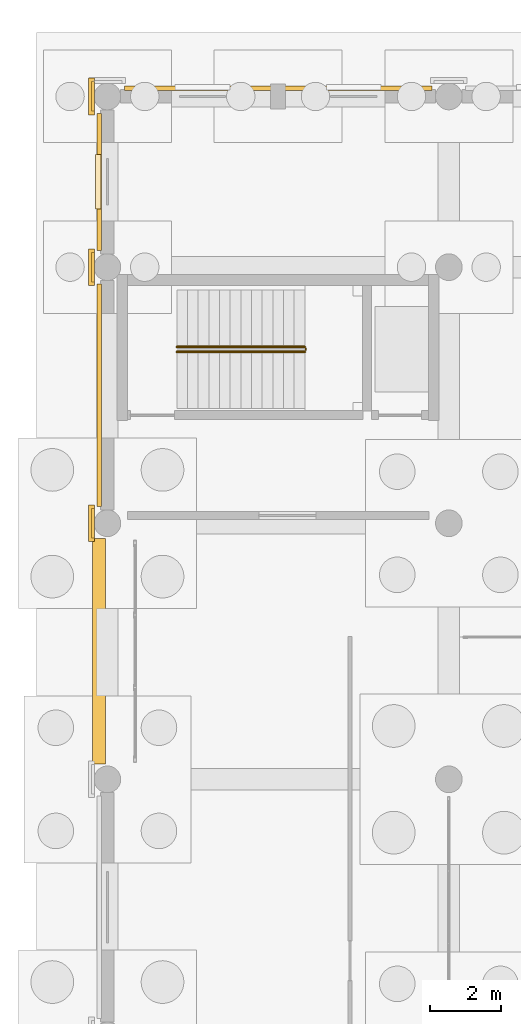
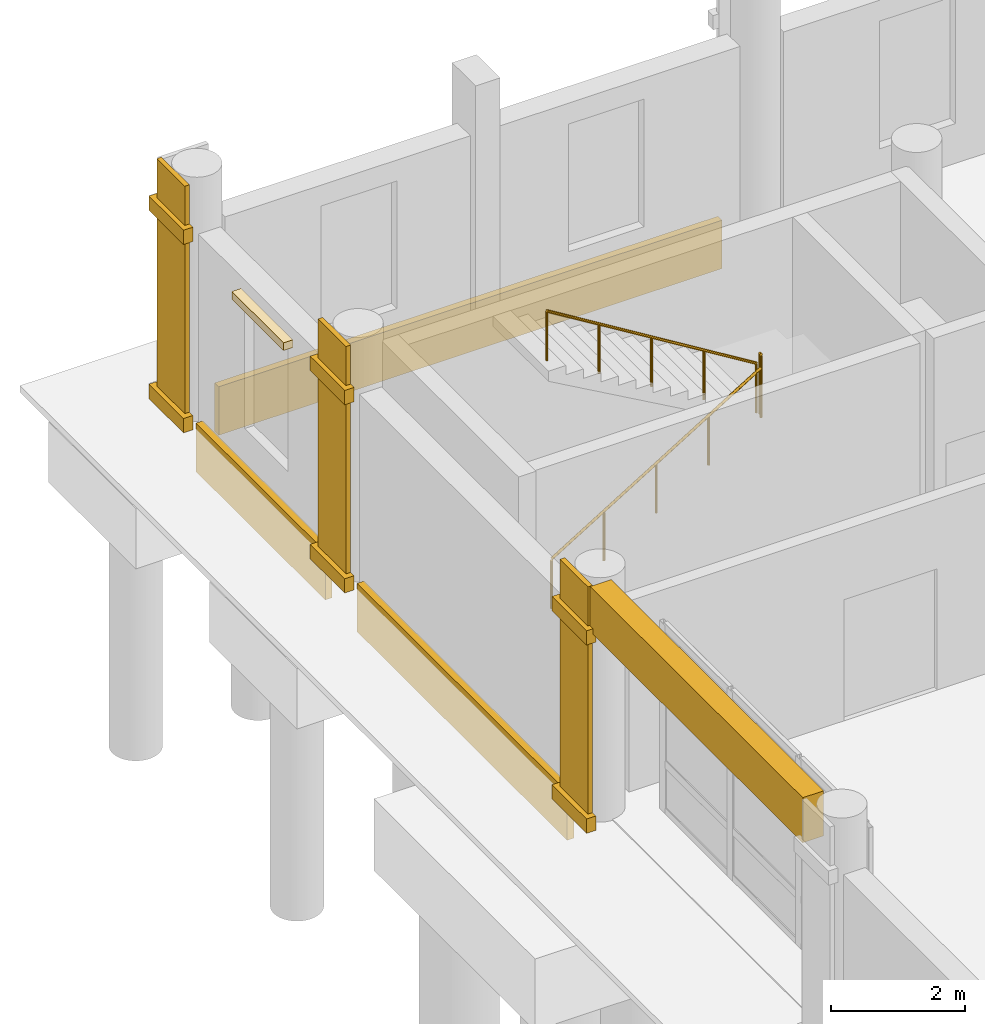
# One storey, part 184 of 196: 14 coverings, 3 railings.
"""IFC4 building model written with IfcOpenShell, lengths in metres."""

from ifc_helpers import new_model, si_unit, direction, frame, origin, origin_2d, place, context, subcontext, project, spatial, rectangle, circle, extrude, material, layer, layer_set, type_object, element, save


model = new_model("IFC4")

# Units and contexts
model_context = context("Model", 3, precision=1e-05, world=origin(), true_north=direction((0.0, 1.0)))
body_context = subcontext(model_context, "Body", "Model", "MODEL_VIEW")
ifc_project = project(units=[si_unit("LENGTHUNIT", "METRE"), si_unit("AREAUNIT", "SQUARE_METRE"), si_unit("VOLUMEUNIT", "CUBIC_METRE"), si_unit("PLANEANGLEUNIT", "RADIAN"), si_unit("MASSUNIT", "GRAM", prefix="KILO")], contexts=[model_context])

# Site, building, storey
site_placement = place(None, origin())
site = spatial("IfcSite", under=ifc_project, at=site_placement, CompositionType="ELEMENT")
building_placement = place(site_placement, origin())
building = spatial("IfcBuilding", under=site, at=building_placement, Name="Asteropetra Specialist Clinic", CompositionType="ELEMENT")
storey_placement = place(building_placement, origin())
storey = spatial("IfcBuildingStorey", under=building, at=storey_placement, Name="L00", CompositionType="ELEMENT", Elevation=0.0)

# Coverings
ifc_material_1 = material(Name="Pentelic marble ashlar", Category="masonry")
ifc_layer = layer(ifc_material_1, 0.159912109375)
ifc_layer_set = layer_set([ifc_layer], Name="Pentelic marble ashlar")
covering_type = type_object("IfcCoveringType", Name="CRN-ENTAB-600", PredefinedType="MOLDING", material=ifc_layer_set)
covering_1_placement = place(storey_placement, frame((-0.239990234375, 94.800048828125, 3.58984375), z_axis=(0.0, 0.0, 1.0), x_axis=(1.0, 0.0, 0.0)))
element("IfcCovering", 1, at=covering_1_placement, inside=storey, type_object=covering_type, Name="Stoa Classical Entablature SE-0069", PredefinedType="MOLDING", context=body_context, shape_type="SweptSolid", body=[
    extrude(rectangle(XDim=0.360107421875, YDim=6.330078125, at=origin_2d()), origin(), (0.0, 0.0, 1.0), 0.820068359375),
])
covering_2_placement = place(storey_placement, frame((-0.406982421875, 98.39990234375, 0.02001953125), z_axis=(0.0, 0.0, 1.0), x_axis=(1.0, 0.0, 0.0)))
element("IfcCovering", 2, at=covering_2_placement, inside=storey, type_object=covering_type, Name="Neoclassical Pilaster Facing CM-0472", PredefinedType="MOLDING", context=body_context, shape_type="SweptSolid", body=[
    extrude(rectangle(XDim=0.080078125, YDim=0.830078125, at=origin_2d()), origin(), (0.0, 0.0, 1.0), 4.3798828125),
])
for number, where, z_axis, x_axis, name in (
    (3, (-0.447021484375, 98.39990234375, 0.009765625), (0.0, 0.0, 1.0), (1.0, 0.0, 0.0), "Doric Base CC-0473"),
    (4, (-0.447021484375, 98.39990234375, 3.43017578125), (0.0, 0.0, 1.0), (1.0, 0.0, 0.0), "Doric Capital CC-0474"),
):
    element("IfcCovering", number, at=place(storey_placement, frame(where, z_axis=z_axis, x_axis=x_axis)), inside=storey, type_object=covering_type, Name=name, PredefinedType="MOLDING", context=body_context, shape_type="SweptSolid", body=[
        extrude(rectangle(XDim=0.159912109375, YDim=1.030029296875, at=origin_2d()), origin(), (0.0, 0.0, 1.0), 0.260009765625),
    ])
covering_3_placement = place(storey_placement, frame((-0.406982421875, 105.60009765625, 0.02001953125), z_axis=(0.0, 0.0, 1.0), x_axis=(1.0, 0.0, 0.0)))
element("IfcCovering", 5, at=covering_3_placement, inside=storey, type_object=covering_type, Name="Neoclassical Pilaster Facing CM-0475", PredefinedType="MOLDING", context=body_context, shape_type="SweptSolid", body=[
    extrude(rectangle(XDim=0.080078125, YDim=0.830078125, at=origin_2d()), origin(), (0.0, 0.0, 1.0), 4.3798828125),
])
for number, where, z_axis, x_axis, name in (
    (6, (-0.447021484375, 105.60009765625, 0.009765625), (0.0, 0.0, 1.0), (1.0, 0.0, 0.0), "Doric Base CC-0476"),
    (7, (-0.447021484375, 105.60009765625, 3.43017578125), (0.0, 0.0, 1.0), (1.0, 0.0, 0.0), "Doric Capital CC-0477"),
):
    element("IfcCovering", number, at=place(storey_placement, frame(where, z_axis=z_axis, x_axis=x_axis)), inside=storey, type_object=covering_type, Name=name, PredefinedType="MOLDING", context=body_context, shape_type="SweptSolid", body=[
        extrude(rectangle(XDim=0.159912109375, YDim=1.030029296875, at=origin_2d()), origin(), (0.0, 0.0, 1.0), 0.260009765625),
    ])
covering_4_placement = place(storey_placement, frame((-0.406982421875, 110.39990234375, 0.02001953125), z_axis=(0.0, 0.0, 1.0), x_axis=(1.0, 0.0, 0.0)))
element("IfcCovering", 8, at=covering_4_placement, inside=storey, type_object=covering_type, Name="Neoclassical Pilaster Facing CM-0481", PredefinedType="MOLDING", context=body_context, shape_type="SweptSolid", body=[
    extrude(rectangle(XDim=0.080078125, YDim=0.830078125, at=origin_2d()), origin(), (0.0, 0.0, 1.0), 4.3798828125),
])
for number, where, z_axis, x_axis, name in (
    (9, (-0.447021484375, 110.39990234375, 0.009765625), (0.0, 0.0, 1.0), (1.0, 0.0, 0.0), "Doric Base CC-0482"),
    (10, (-0.447021484375, 110.39990234375, 3.43017578125), (0.0, 0.0, 1.0), (1.0, 0.0, 0.0), "Doric Capital CC-0483"),
):
    element("IfcCovering", number, at=place(storey_placement, frame(where, z_axis=z_axis, x_axis=x_axis)), inside=storey, type_object=covering_type, Name=name, PredefinedType="MOLDING", context=body_context, shape_type="SweptSolid", body=[
        extrude(rectangle(XDim=0.159912109375, YDim=1.030029296875, at=origin_2d()), origin(), (0.0, 0.0, 1.0), 0.260009765625),
    ])
covering_5_placement = place(storey_placement, frame((4.800048828125, 110.6298828125, -0.800048828125), z_axis=(0.0, 0.0, 1.0), x_axis=(1.0, 0.0, 0.0)))
element("IfcCovering", 11, at=covering_5_placement, inside=storey, type_object=covering_type, Name="Chevron Spandrel Band CV-1379", PredefinedType="MOLDING", context=body_context, shape_type="SweptSolid", body=[
    extrude(rectangle(XDim=8.64990234375, YDim=0.1201171875, at=origin_2d()), origin(), (0.0, 0.0, 1.0), 0.8798828125),
])
covering_6_placement = place(storey_placement, frame((-0.22998046875, 102.0, -0.800048828125), z_axis=(0.0, 0.0, 1.0), x_axis=(1.0, 0.0, 0.0)))
element("IfcCovering", 12, at=covering_6_placement, inside=storey, type_object=covering_type, Name="Chevron Spandrel Band CV-1403", PredefinedType="MOLDING", context=body_context, shape_type="SweptSolid", body=[
    extrude(rectangle(XDim=0.1201171875, YDim=6.25, at=origin_2d()), origin(), (0.0, 0.0, 1.0), 0.8798828125),
])
covering_7_placement = place(storey_placement, frame((-0.260009765625, 108.0, 3.05029296875), z_axis=(0.0, 0.0, 1.0), x_axis=(1.0, 0.0, 0.0)))
element("IfcCovering", 13, at=covering_7_placement, inside=storey, type_object=covering_type, Name="Classical Window Hood WH-1404", PredefinedType="MOLDING", context=body_context, shape_type="SweptSolid", body=[
    extrude(rectangle(XDim=0.159912109375, YDim=1.5400390625, at=origin_2d()), origin(), (0.0, 0.0, 1.0), 0.139892578125),
])
covering_8_placement = place(storey_placement, frame((-0.22998046875, 108.0, -0.800048828125), z_axis=(0.0, 0.0, 1.0), x_axis=(1.0, 0.0, 0.0)))
element("IfcCovering", 14, at=covering_8_placement, inside=storey, type_object=covering_type, Name="Chevron Spandrel Band CV-1405", PredefinedType="MOLDING", context=body_context, shape_type="SweptSolid", body=[
    extrude(rectangle(XDim=0.1201171875, YDim=3.85009765625, at=origin_2d()), origin(), (0.0, 0.0, 1.0), 0.8798828125),
])

# Railings
ifc_material_2 = material(Name="Steel S355 and laminated glass guard", Category="steel")
railing_type_1 = type_object("IfcRailingType", Name="GRD-INT-1120", PredefinedType="GUARDRAIL", material=ifc_material_2)
railing_1_placement = place(storey_placement, frame((5.580078125, 103.27001953125, 2.2099609375)))
element("IfcRailing", 15, at=railing_1_placement, inside=storey, type_object=railing_type_1, Name="Landing Slot Guard ST01-L00", PredefinedType="GUARDRAIL", context=body_context, shape_type="SweptSolid", body=[
    extrude(circle(Radius=0.02392578125, at=origin_2d()), frame((0.0, 0.0, 1.09619140625), z_axis=(0.0, 1.0, 0.0), x_axis=(-1.0, 0.0, 0.0)), (0.0, 0.0, 1.0), 0.0400390625),
    extrude(circle(Radius=0.02099609375, at=origin_2d()), origin(), (0.0, 0.0, 1.0), 1.072021484375),
    extrude(circle(Radius=0.02099609375, at=origin_2d()), frame((0.0, 0.0400390625, 0.0)), (0.0, 0.0, 1.0), 1.072021484375),
])
ifc_material_3 = material(Name="Brushed stainless steel handrail", Category="steel")
railing_type_2 = type_object("IfcRailingType", Name="HRL-STAIR-920", PredefinedType="HANDRAIL", material=ifc_material_3)
railing_2_placement = place(storey_placement, frame((1.949951171875, 103.219970703125, 0.0)))
element("IfcRailing", 16, at=railing_2_placement, inside=storey, type_object=railing_type_2, Name="Stair Handrail ST01-L00 F1", PredefinedType="HANDRAIL", context=body_context, shape_type="SweptSolid", body=[
    extrude(circle(Radius=0.02392578125, at=origin_2d()), frame((0.0, 0.0, 0.89599609375), z_axis=(0.85223722916, 0.0, 0.523155526811), x_axis=(0.0, 1.0, 0.0)), (0.0, 0.0, 1.0), 4.224365234375),
    extrude(circle(Radius=0.02099609375, at=origin_2d()), origin(), (0.0, 0.0, 1.0), 0.871826171875),
    extrude(circle(Radius=0.02099609375, at=origin_2d()), frame((0.89990234375, 0.0, 0.552490234375)), (0.0, 0.0, 1.0), 0.871826171875),
    extrude(circle(Radius=0.02099609375, at=origin_2d()), frame((1.800048828125, 0.0, 1.10498046875)), (0.0, 0.0, 1.0), 0.871826171875),
    extrude(circle(Radius=0.02099609375, at=origin_2d()), frame((2.7001953125, 0.0, 1.657470703125)), (0.0, 0.0, 1.0), 0.871826171875),
    extrude(circle(Radius=0.02099609375, at=origin_2d()), frame((3.60009765625, 0.0, 2.2099609375)), (0.0, 0.0, 1.0), 0.871826171875),
])
railing_3_placement = place(storey_placement, frame((5.550048828125, 103.360107421875, 2.2099609375)))
element("IfcRailing", 17, at=railing_3_placement, inside=storey, type_object=railing_type_2, Name="Stair Handrail ST01-L00 F2", PredefinedType="HANDRAIL", context=body_context, shape_type="SweptSolid", body=[
    extrude(circle(Radius=0.02392578125, at=origin_2d()), frame((0.0, 0.0, 0.89599609375), z_axis=(-0.85223722916, 0.0, 0.523155526811), x_axis=(0.0, -1.0, 0.0)), (0.0, 0.0, 1.0), 4.224365234375),
    extrude(circle(Radius=0.02099609375, at=origin_2d()), origin(), (0.0, 0.0, 1.0), 0.871826171875),
    extrude(circle(Radius=0.02099609375, at=origin_2d()), frame((-0.89990234375, 0.0, 0.552490234375)), (0.0, 0.0, 1.0), 0.871826171875),
    extrude(circle(Radius=0.02099609375, at=origin_2d()), frame((-1.800048828125, 0.0, 1.10498046875)), (0.0, 0.0, 1.0), 0.871826171875),
    extrude(circle(Radius=0.02099609375, at=origin_2d()), frame((-2.7001953125, 0.0, 1.657470703125)), (0.0, 0.0, 1.0), 0.871826171875),
    extrude(circle(Radius=0.02099609375, at=origin_2d()), frame((-3.60009765625, 0.0, 2.2099609375)), (0.0, 0.0, 1.0), 0.871826171875),
])

save(model, "model.ifc")
